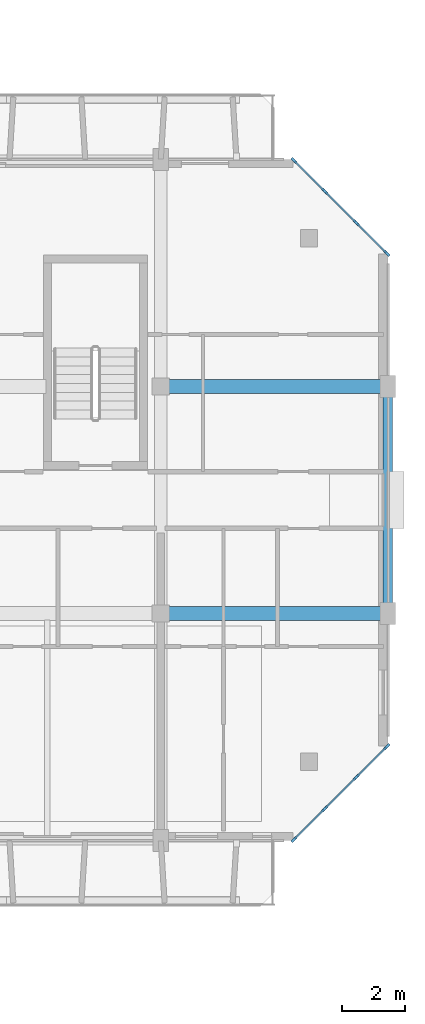
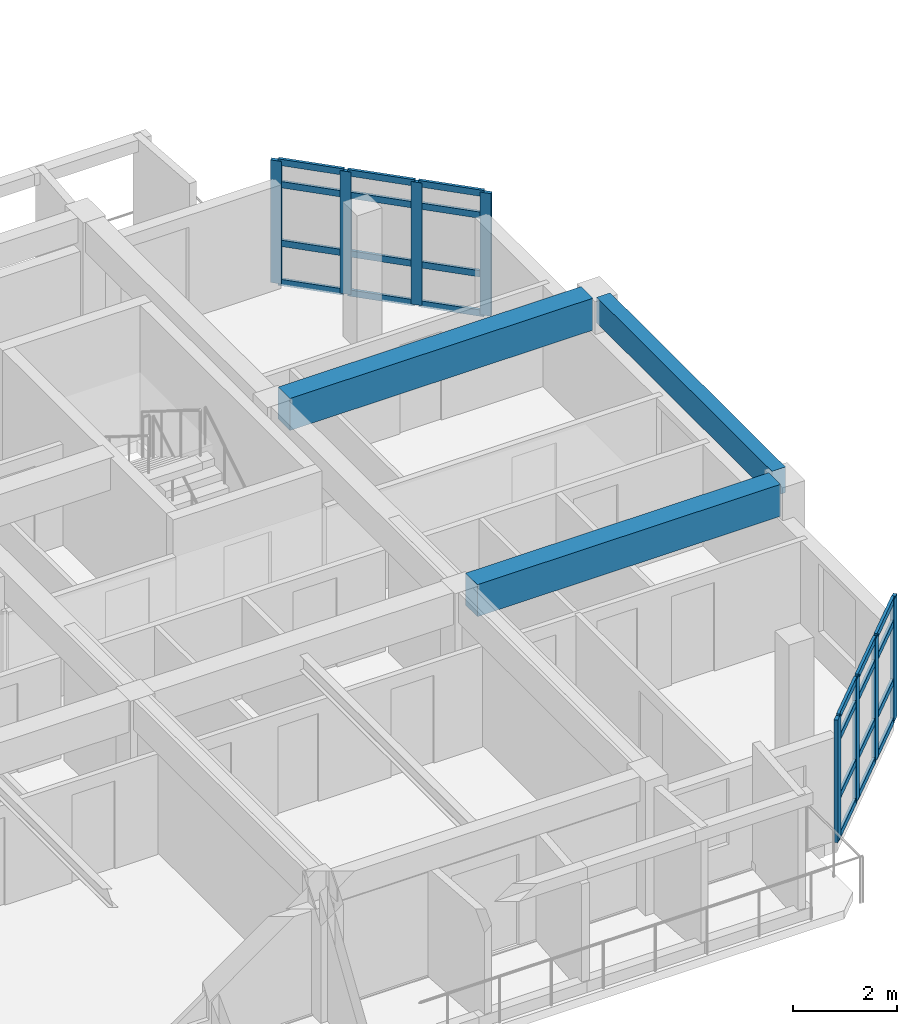
# One storey, part 15 of 64: 32 members, 3 beams, 2 elements without a shape of their own.
"""IFC4 building model written with IfcOpenShell, lengths in metres."""

from ifc_helpers import new_model, si_unit, direction, frame, origin, origin_2d, place, context, subcontext, project, spatial, rectangle, extrude, material, layer, layer_set, material_profile, profile_set, type_object, element, aggregate, save


model = new_model("IFC4")

# Units and contexts
model_context = context("Model", 3, precision=1e-05, world=origin(), true_north=direction((0.0, 1.0)))
body_context = subcontext(model_context, "Body", "Model", "MODEL_VIEW")
ifc_project = project(units=[si_unit("LENGTHUNIT", "METRE"), si_unit("AREAUNIT", "SQUARE_METRE"), si_unit("VOLUMEUNIT", "CUBIC_METRE"), si_unit("PLANEANGLEUNIT", "RADIAN"), si_unit("MASSUNIT", "GRAM", prefix="KILO")], contexts=[model_context])

# Site, building, storey
site_placement = place(None, origin())
site = spatial("IfcSite", under=ifc_project, at=site_placement, CompositionType="ELEMENT")
building_placement = place(site_placement, origin())
building = spatial("IfcBuilding", under=site, at=building_placement, Name="Ochrevale Crest", CompositionType="ELEMENT")
storey_placement = place(building_placement, frame((0.0, 0.0, 8.699951171875)))
storey = spatial("IfcBuildingStorey", under=building, at=storey_placement, Name="L02", CompositionType="ELEMENT", Elevation=8.699951171875)

# Beams
ifc_material_1 = material(Name="Concrete C50/60", Category="concrete")
ifc_material_profile_1 = material_profile(ifc_material_1, rectangle(XDim=0.449951171875, YDim=0.75, at=origin_2d()), Name="RC 450x750")
ifc_profile_set_1 = profile_set([ifc_material_profile_1], Name="Concrete C50/60")
beam_type_1 = type_object("IfcBeamType", Name="BM-PG450x750", PredefinedType="USERDEFINED", material=ifc_profile_set_1)
for number, where, z_axis, x_axis, name in (
    (1, (158.64990234375, 21.60009765625, 2.775146484375), (1.0, 0.0, 0.0), (0.0, 1.0, 0.0), "Block C L02 E-W beam Y=21.6"),
    (2, (158.64990234375, 28.800048828125, 2.775146484375), (1.0, 0.0, 0.0), (0.0, 1.0, 0.0), "Block C L02 E-W beam Y=28.8"),
):
    element("IfcBeam", number, at=place(storey_placement, frame(where, z_axis=z_axis, x_axis=x_axis)), inside=storey, type_object=beam_type_1, Name=name, ObjectType="GIRDER", PredefinedType="USERDEFINED", context=body_context, shape_type="SweptSolid", body=[
        extrude(rectangle(XDim=0.449951171875, YDim=0.75, at=origin_2d()), origin(), (0.0, 0.0, 1.0), 6.72509765625),
    ])
ifc_material_2 = material(Name="Precast concrete C40/50", Category="concrete")
ifc_material_profile_2 = material_profile(ifc_material_2, rectangle(XDim=0.300048828125, YDim=0.60009765625, at=origin_2d()), Name="PC 300x600")
ifc_profile_set_2 = profile_set([ifc_material_profile_2], Name="Precast concrete C40/50")
beam_type_2 = type_object("IfcBeamType", Name="BM-SP300x600", PredefinedType="SPANDREL", material=ifc_profile_set_2)
beam_placement = place(storey_placement, frame((165.60009765625, 21.830078125, 2.85009765625), z_axis=(0.0, 1.0, 0.0), x_axis=(-1.0, 0.0, 0.0)))
element("IfcBeam", 3, at=beam_placement, inside=storey, type_object=beam_type_2, Name="Block C L02 N-S beam X=165.6", PredefinedType="SPANDREL", context=body_context, shape_type="SweptSolid", body=[
    extrude(rectangle(XDim=0.300048828125, YDim=0.60009765625, at=origin_2d()), origin(), (0.0, 0.0, 1.0), 6.739990234375),
])

# Curtain wall, members
ifc_material_3 = material(Name="Anodised aluminium 6063-T5", Category="aluminium")
ifc_layer_1 = layer(ifc_material_3, 0.14990234375)
ifc_layer_set_1 = layer_set([ifc_layer_1], Name="Anodised aluminium 6063-T5")
curtain_wall_type_1 = type_object("IfcCurtainWallType", Name="CW-WG-420x285", PredefinedType="NOTDEFINED", material=ifc_layer_set_1)
curtain_wall_1_placement = place(storey_placement, origin())
curtain_wall_1 = element("IfcCurtainWall", 4, at=curtain_wall_1_placement, inside=storey, type_object=curtain_wall_type_1, Name="Block C L02 chamfered corner wintergarden curtain wall 2", PredefinedType="NOTDEFINED")
ifc_material_profile_3 = material_profile(ifc_material_3, rectangle(XDim=0.074951171875, YDim=0.219970703125, at=origin_2d()), Name="ALU 75x220")
ifc_profile_set_3 = profile_set([ifc_material_profile_3], Name="Anodised aluminium 6063-T5")
member_type_1 = type_object("IfcMemberType", Name="CW-MUL-75x220", PredefinedType="MULLION", material=ifc_profile_set_3)
member_1_placement = place(storey_placement, frame((162.62646484375, 14.426513671875, 0.0), z_axis=(0.0, 0.0, 1.0), x_axis=(-0.707106781187, 0.707106781187, 0.0)))
member_1 = element("IfcMember", 5, at=member_1_placement, type_object=member_type_1, Name="CW22 mullion 1", PredefinedType="MULLION", context=body_context, shape_type="SweptSolid", body=[
    extrude(rectangle(XDim=0.074951171875, YDim=0.219970703125, at=origin_2d()), origin(), (0.0, 0.0, 1.0), 2.875),
])
member_2_placement = place(storey_placement, frame((163.60009765625, 15.39990234375, 0.0), z_axis=(0.0, 0.0, 1.0), x_axis=(-0.707106781187, 0.707106781187, 0.0)))
member_2 = element("IfcMember", 6, at=member_2_placement, type_object=member_type_1, Name="CW22 mullion 2", PredefinedType="MULLION", context=body_context, shape_type="SweptSolid", body=[
    extrude(rectangle(XDim=0.074951171875, YDim=0.219970703125, at=origin_2d()), origin(), (0.0, 0.0, 1.0), 2.875),
])
member_3_placement = place(storey_placement, frame((164.60009765625, 16.39990234375, 0.0), z_axis=(0.0, 0.0, 1.0), x_axis=(-0.707106781187, 0.707106781187, 0.0)))
member_3 = element("IfcMember", 7, at=member_3_placement, type_object=member_type_1, Name="CW22 mullion 3", PredefinedType="MULLION", context=body_context, shape_type="SweptSolid", body=[
    extrude(rectangle(XDim=0.074951171875, YDim=0.219970703125, at=origin_2d()), origin(), (0.0, 0.0, 1.0), 2.875),
])
member_4_placement = place(storey_placement, frame((165.573486328125, 17.37353515625, 0.0), z_axis=(0.0, 0.0, 1.0), x_axis=(-0.707106781187, 0.707106781187, 0.0)))
member_4 = element("IfcMember", 8, at=member_4_placement, type_object=member_type_1, Name="CW22 mullion 4", PredefinedType="MULLION", context=body_context, shape_type="SweptSolid", body=[
    extrude(rectangle(XDim=0.074951171875, YDim=0.219970703125, at=origin_2d()), origin(), (0.0, 0.0, 1.0), 2.875),
])

ifc_layer_2 = layer(ifc_material_3, 0.14990234375)
ifc_layer_set_2 = layer_set([ifc_layer_2], Name="Anodised aluminium 6063-T5")
curtain_wall_type_2 = type_object("IfcCurtainWallType", Name="CW-WG-280x285", PredefinedType="NOTDEFINED", material=ifc_layer_set_2)
curtain_wall_2_placement = place(storey_placement, origin())
curtain_wall_2 = element("IfcCurtainWall", 9, at=curtain_wall_2_placement, inside=storey, type_object=curtain_wall_type_2, Name="Block C L02 chamfered corner wintergarden curtain wall 4", PredefinedType="NOTDEFINED")
member_5_placement = place(storey_placement, frame((165.573486328125, 33.026611328125, 0.0), z_axis=(0.0, 0.0, 1.0), x_axis=(-0.707106781187, -0.707106781187, 0.0)))
member_5 = element("IfcMember", 10, at=member_5_placement, type_object=member_type_1, Name="CW16 mullion 1", PredefinedType="MULLION", context=body_context, shape_type="SweptSolid", body=[
    extrude(rectangle(XDim=0.074951171875, YDim=0.219970703125, at=origin_2d()), origin(), (0.0, 0.0, 1.0), 2.875),
])
member_6_placement = place(storey_placement, frame((164.60009765625, 34.0, 0.0), z_axis=(0.0, 0.0, 1.0), x_axis=(-0.707106781187, -0.707106781187, 0.0)))
member_6 = element("IfcMember", 11, at=member_6_placement, type_object=member_type_1, Name="CW16 mullion 2", PredefinedType="MULLION", context=body_context, shape_type="SweptSolid", body=[
    extrude(rectangle(XDim=0.074951171875, YDim=0.219970703125, at=origin_2d()), origin(), (0.0, 0.0, 1.0), 2.875),
])
member_7_placement = place(storey_placement, frame((163.60009765625, 35.0, 0.0), z_axis=(0.0, 0.0, 1.0), x_axis=(-0.707106781187, -0.707106781187, 0.0)))
member_7 = element("IfcMember", 12, at=member_7_placement, type_object=member_type_1, Name="CW16 mullion 3", PredefinedType="MULLION", context=body_context, shape_type="SweptSolid", body=[
    extrude(rectangle(XDim=0.074951171875, YDim=0.219970703125, at=origin_2d()), origin(), (0.0, 0.0, 1.0), 2.875),
])
member_8_placement = place(storey_placement, frame((162.62646484375, 35.973388671875, 0.0), z_axis=(0.0, 0.0, 1.0), x_axis=(-0.707106781187, -0.707106781187, 0.0)))
member_8 = element("IfcMember", 13, at=member_8_placement, type_object=member_type_1, Name="CW16 mullion 4", PredefinedType="MULLION", context=body_context, shape_type="SweptSolid", body=[
    extrude(rectangle(XDim=0.074951171875, YDim=0.219970703125, at=origin_2d()), origin(), (0.0, 0.0, 1.0), 2.875),
])

# Member
ifc_material_profile_4 = material_profile(ifc_material_3, rectangle(XDim=0.06005859375, YDim=0.14990234375, at=origin_2d()), Name="ALU 60x150")
ifc_profile_set_4 = profile_set([ifc_material_profile_4], Name="Anodised aluminium 6063-T5")
member_type_2 = type_object("IfcMemberType", Name="CW-TRN-60x150", PredefinedType="USERDEFINED", material=ifc_profile_set_4)
member_9_placement = place(storey_placement, frame((162.653076171875, 14.453125, 0.030029296875), z_axis=(0.707106781187, 0.707106781187, 0.0), x_axis=(-0.707106781187, 0.707106781187, 0.0)))
member_9 = element("IfcMember", 14, at=member_9_placement, type_object=member_type_2, Name="CW22 transom 1.1", ObjectType="TRANSOM", PredefinedType="USERDEFINED", context=body_context, shape_type="SweptSolid", body=[
    extrude(rectangle(XDim=0.06005859375, YDim=0.14990234375, at=origin_2d()), origin(), (0.0, 0.0, 1.0), 1.3017578125),
])

member_10_placement = place(storey_placement, frame((162.653076171875, 14.453125, 0.949951171875), z_axis=(0.707106781187, 0.707106781187, 0.0), x_axis=(-0.707106781187, 0.707106781187, 0.0)))
member_10 = element("IfcMember", 15, at=member_10_placement, type_object=member_type_2, Name="CW22 transom 1.2", ObjectType="TRANSOM", PredefinedType="USERDEFINED", context=body_context, shape_type="SweptSolid", body=[
    extrude(rectangle(XDim=0.06005859375, YDim=0.14990234375, at=origin_2d()), origin(), (0.0, 0.0, 1.0), 1.3017578125),
])

member_11_placement = place(storey_placement, frame((162.653076171875, 14.453125, 2.324951171875), z_axis=(0.707106781187, 0.707106781187, 0.0), x_axis=(-0.707106781187, 0.707106781187, 0.0)))
member_11 = element("IfcMember", 16, at=member_11_placement, type_object=member_type_2, Name="CW22 transom 1.3", ObjectType="TRANSOM", PredefinedType="USERDEFINED", context=body_context, shape_type="SweptSolid", body=[
    extrude(rectangle(XDim=0.06005859375, YDim=0.14990234375, at=origin_2d()), origin(), (0.0, 0.0, 1.0), 1.3017578125),
])

member_12_placement = place(storey_placement, frame((162.653076171875, 14.453125, 2.844970703125), z_axis=(0.707106781187, 0.707106781187, 0.0), x_axis=(-0.707106781187, 0.707106781187, 0.0)))
member_12 = element("IfcMember", 17, at=member_12_placement, type_object=member_type_2, Name="CW22 transom 1.4", ObjectType="TRANSOM", PredefinedType="USERDEFINED", context=body_context, shape_type="SweptSolid", body=[
    extrude(rectangle(XDim=0.06005859375, YDim=0.14990234375, at=origin_2d()), origin(), (0.0, 0.0, 1.0), 1.3017578125),
])

member_13_placement = place(storey_placement, frame((163.62646484375, 15.426513671875, 0.030029296875), z_axis=(0.707106781187, 0.707106781187, 0.0), x_axis=(-0.707106781187, 0.707106781187, 0.0)))
member_13 = element("IfcMember", 18, at=member_13_placement, type_object=member_type_2, Name="CW22 transom 2.1", ObjectType="TRANSOM", PredefinedType="USERDEFINED", context=body_context, shape_type="SweptSolid", body=[
    extrude(rectangle(XDim=0.06005859375, YDim=0.14990234375, at=origin_2d()), origin(), (0.0, 0.0, 1.0), 1.33935546875),
])

member_14_placement = place(storey_placement, frame((163.62646484375, 15.426513671875, 0.949951171875), z_axis=(0.707106781187, 0.707106781187, 0.0), x_axis=(-0.707106781187, 0.707106781187, 0.0)))
member_14 = element("IfcMember", 19, at=member_14_placement, type_object=member_type_2, Name="CW22 transom 2.2", ObjectType="TRANSOM", PredefinedType="USERDEFINED", context=body_context, shape_type="SweptSolid", body=[
    extrude(rectangle(XDim=0.06005859375, YDim=0.14990234375, at=origin_2d()), origin(), (0.0, 0.0, 1.0), 1.33935546875),
])

member_15_placement = place(storey_placement, frame((163.62646484375, 15.426513671875, 2.324951171875), z_axis=(0.707106781187, 0.707106781187, 0.0), x_axis=(-0.707106781187, 0.707106781187, 0.0)))
member_15 = element("IfcMember", 20, at=member_15_placement, type_object=member_type_2, Name="CW22 transom 2.3", ObjectType="TRANSOM", PredefinedType="USERDEFINED", context=body_context, shape_type="SweptSolid", body=[
    extrude(rectangle(XDim=0.06005859375, YDim=0.14990234375, at=origin_2d()), origin(), (0.0, 0.0, 1.0), 1.33935546875),
])

member_16_placement = place(storey_placement, frame((163.62646484375, 15.426513671875, 2.844970703125), z_axis=(0.707106781187, 0.707106781187, 0.0), x_axis=(-0.707106781187, 0.707106781187, 0.0)))
member_16 = element("IfcMember", 21, at=member_16_placement, type_object=member_type_2, Name="CW22 transom 2.4", ObjectType="TRANSOM", PredefinedType="USERDEFINED", context=body_context, shape_type="SweptSolid", body=[
    extrude(rectangle(XDim=0.06005859375, YDim=0.14990234375, at=origin_2d()), origin(), (0.0, 0.0, 1.0), 1.33935546875),
])

member_17_placement = place(storey_placement, frame((164.62646484375, 16.426513671875, 0.030029296875), z_axis=(0.707106781187, 0.707106781187, 0.0), x_axis=(-0.707106781187, 0.707106781187, 0.0)))
member_17 = element("IfcMember", 22, at=member_17_placement, type_object=member_type_2, Name="CW22 transom 3.1", ObjectType="TRANSOM", PredefinedType="USERDEFINED", context=body_context, shape_type="SweptSolid", body=[
    extrude(rectangle(XDim=0.06005859375, YDim=0.14990234375, at=origin_2d()), origin(), (0.0, 0.0, 1.0), 1.3017578125),
])

member_18_placement = place(storey_placement, frame((164.62646484375, 16.426513671875, 0.949951171875), z_axis=(0.707106781187, 0.707106781187, 0.0), x_axis=(-0.707106781187, 0.707106781187, 0.0)))
member_18 = element("IfcMember", 23, at=member_18_placement, type_object=member_type_2, Name="CW22 transom 3.2", ObjectType="TRANSOM", PredefinedType="USERDEFINED", context=body_context, shape_type="SweptSolid", body=[
    extrude(rectangle(XDim=0.06005859375, YDim=0.14990234375, at=origin_2d()), origin(), (0.0, 0.0, 1.0), 1.3017578125),
])

member_19_placement = place(storey_placement, frame((164.62646484375, 16.426513671875, 2.324951171875), z_axis=(0.707106781187, 0.707106781187, 0.0), x_axis=(-0.707106781187, 0.707106781187, 0.0)))
member_19 = element("IfcMember", 24, at=member_19_placement, type_object=member_type_2, Name="CW22 transom 3.3", ObjectType="TRANSOM", PredefinedType="USERDEFINED", context=body_context, shape_type="SweptSolid", body=[
    extrude(rectangle(XDim=0.06005859375, YDim=0.14990234375, at=origin_2d()), origin(), (0.0, 0.0, 1.0), 1.3017578125),
])

member_20_placement = place(storey_placement, frame((164.62646484375, 16.426513671875, 2.844970703125), z_axis=(0.707106781187, 0.707106781187, 0.0), x_axis=(-0.707106781187, 0.707106781187, 0.0)))
member_20 = element("IfcMember", 25, at=member_20_placement, type_object=member_type_2, Name="CW22 transom 3.4", ObjectType="TRANSOM", PredefinedType="USERDEFINED", context=body_context, shape_type="SweptSolid", body=[
    extrude(rectangle(XDim=0.06005859375, YDim=0.14990234375, at=origin_2d()), origin(), (0.0, 0.0, 1.0), 1.3017578125),
])

aggregate(curtain_wall_1, [member_1, member_2, member_3, member_4, member_9, member_10, member_11, member_12, member_13, member_14, member_15, member_16, member_17, member_18, member_19, member_20])

member_21_placement = place(storey_placement, frame((165.546875, 33.052978515625, 0.030029296875), z_axis=(-0.707106781187, 0.707106781187, 0.0), x_axis=(-0.707106781187, -0.707106781187, 0.0)))
member_21 = element("IfcMember", 26, at=member_21_placement, type_object=member_type_2, Name="CW16 transom 1.1", ObjectType="TRANSOM", PredefinedType="USERDEFINED", context=body_context, shape_type="SweptSolid", body=[
    extrude(rectangle(XDim=0.06005859375, YDim=0.14990234375, at=origin_2d()), origin(), (0.0, 0.0, 1.0), 1.3017578125),
])

member_22_placement = place(storey_placement, frame((165.546875, 33.052978515625, 0.949951171875), z_axis=(-0.707106781187, 0.707106781187, 0.0), x_axis=(-0.707106781187, -0.707106781187, 0.0)))
member_22 = element("IfcMember", 27, at=member_22_placement, type_object=member_type_2, Name="CW16 transom 1.2", ObjectType="TRANSOM", PredefinedType="USERDEFINED", context=body_context, shape_type="SweptSolid", body=[
    extrude(rectangle(XDim=0.06005859375, YDim=0.14990234375, at=origin_2d()), origin(), (0.0, 0.0, 1.0), 1.3017578125),
])

member_23_placement = place(storey_placement, frame((165.546875, 33.052978515625, 2.324951171875), z_axis=(-0.707106781187, 0.707106781187, 0.0), x_axis=(-0.707106781187, -0.707106781187, 0.0)))
member_23 = element("IfcMember", 28, at=member_23_placement, type_object=member_type_2, Name="CW16 transom 1.3", ObjectType="TRANSOM", PredefinedType="USERDEFINED", context=body_context, shape_type="SweptSolid", body=[
    extrude(rectangle(XDim=0.06005859375, YDim=0.14990234375, at=origin_2d()), origin(), (0.0, 0.0, 1.0), 1.3017578125),
])

member_24_placement = place(storey_placement, frame((165.546875, 33.052978515625, 2.844970703125), z_axis=(-0.707106781187, 0.707106781187, 0.0), x_axis=(-0.707106781187, -0.707106781187, 0.0)))
member_24 = element("IfcMember", 29, at=member_24_placement, type_object=member_type_2, Name="CW16 transom 1.4", ObjectType="TRANSOM", PredefinedType="USERDEFINED", context=body_context, shape_type="SweptSolid", body=[
    extrude(rectangle(XDim=0.06005859375, YDim=0.14990234375, at=origin_2d()), origin(), (0.0, 0.0, 1.0), 1.3017578125),
])

member_25_placement = place(storey_placement, frame((164.573486328125, 34.026611328125, 0.030029296875), z_axis=(-0.707197932559, 0.707015618062, 0.0), x_axis=(-0.707015618062, -0.707197932559, 0.0)))
member_25 = element("IfcMember", 30, at=member_25_placement, type_object=member_type_2, Name="CW16 transom 2.1", ObjectType="TRANSOM", PredefinedType="USERDEFINED", context=body_context, shape_type="SweptSolid", body=[
    extrude(rectangle(XDim=0.06005859375, YDim=0.14990234375, at=origin_2d()), origin(), (0.0, 0.0, 1.0), 1.339111328125),
])

member_26_placement = place(storey_placement, frame((164.573486328125, 34.026611328125, 0.949951171875), z_axis=(-0.707197932559, 0.707015618062, 0.0), x_axis=(-0.707015618062, -0.707197932559, 0.0)))
member_26 = element("IfcMember", 31, at=member_26_placement, type_object=member_type_2, Name="CW16 transom 2.2", ObjectType="TRANSOM", PredefinedType="USERDEFINED", context=body_context, shape_type="SweptSolid", body=[
    extrude(rectangle(XDim=0.06005859375, YDim=0.14990234375, at=origin_2d()), origin(), (0.0, 0.0, 1.0), 1.339111328125),
])

member_27_placement = place(storey_placement, frame((164.573486328125, 34.026611328125, 2.324951171875), z_axis=(-0.707197932559, 0.707015618062, 0.0), x_axis=(-0.707015618062, -0.707197932559, 0.0)))
member_27 = element("IfcMember", 32, at=member_27_placement, type_object=member_type_2, Name="CW16 transom 2.3", ObjectType="TRANSOM", PredefinedType="USERDEFINED", context=body_context, shape_type="SweptSolid", body=[
    extrude(rectangle(XDim=0.06005859375, YDim=0.14990234375, at=origin_2d()), origin(), (0.0, 0.0, 1.0), 1.339111328125),
])

member_28_placement = place(storey_placement, frame((164.573486328125, 34.026611328125, 2.844970703125), z_axis=(-0.707197932559, 0.707015618062, 0.0), x_axis=(-0.707015618062, -0.707197932559, 0.0)))
member_28 = element("IfcMember", 33, at=member_28_placement, type_object=member_type_2, Name="CW16 transom 2.4", ObjectType="TRANSOM", PredefinedType="USERDEFINED", context=body_context, shape_type="SweptSolid", body=[
    extrude(rectangle(XDim=0.06005859375, YDim=0.14990234375, at=origin_2d()), origin(), (0.0, 0.0, 1.0), 1.339111328125),
])

member_29_placement = place(storey_placement, frame((163.573486328125, 35.026611328125, 0.030029296875), z_axis=(-0.707106781187, 0.707106781187, 0.0), x_axis=(-0.707106781187, -0.707106781187, 0.0)))
member_29 = element("IfcMember", 34, at=member_29_placement, type_object=member_type_2, Name="CW16 transom 3.1", ObjectType="TRANSOM", PredefinedType="USERDEFINED", context=body_context, shape_type="SweptSolid", body=[
    extrude(rectangle(XDim=0.06005859375, YDim=0.14990234375, at=origin_2d()), origin(), (0.0, 0.0, 1.0), 1.3017578125),
])

member_30_placement = place(storey_placement, frame((163.573486328125, 35.026611328125, 0.949951171875), z_axis=(-0.707106781187, 0.707106781187, 0.0), x_axis=(-0.707106781187, -0.707106781187, 0.0)))
member_30 = element("IfcMember", 35, at=member_30_placement, type_object=member_type_2, Name="CW16 transom 3.2", ObjectType="TRANSOM", PredefinedType="USERDEFINED", context=body_context, shape_type="SweptSolid", body=[
    extrude(rectangle(XDim=0.06005859375, YDim=0.14990234375, at=origin_2d()), origin(), (0.0, 0.0, 1.0), 1.3017578125),
])

member_31_placement = place(storey_placement, frame((163.573486328125, 35.026611328125, 2.324951171875), z_axis=(-0.707106781187, 0.707106781187, 0.0), x_axis=(-0.707106781187, -0.707106781187, 0.0)))
member_31 = element("IfcMember", 36, at=member_31_placement, type_object=member_type_2, Name="CW16 transom 3.3", ObjectType="TRANSOM", PredefinedType="USERDEFINED", context=body_context, shape_type="SweptSolid", body=[
    extrude(rectangle(XDim=0.06005859375, YDim=0.14990234375, at=origin_2d()), origin(), (0.0, 0.0, 1.0), 1.3017578125),
])

member_32_placement = place(storey_placement, frame((163.573486328125, 35.026611328125, 2.844970703125), z_axis=(-0.707106781187, 0.707106781187, 0.0), x_axis=(-0.707106781187, -0.707106781187, 0.0)))
member_32 = element("IfcMember", 37, at=member_32_placement, type_object=member_type_2, Name="CW16 transom 3.4", ObjectType="TRANSOM", PredefinedType="USERDEFINED", context=body_context, shape_type="SweptSolid", body=[
    extrude(rectangle(XDim=0.06005859375, YDim=0.14990234375, at=origin_2d()), origin(), (0.0, 0.0, 1.0), 1.3017578125),
])

aggregate(curtain_wall_2, [member_5, member_6, member_7, member_8, member_21, member_22, member_23, member_24, member_25, member_26, member_27, member_28, member_29, member_30, member_31, member_32])

save(model, "model.ifc")
